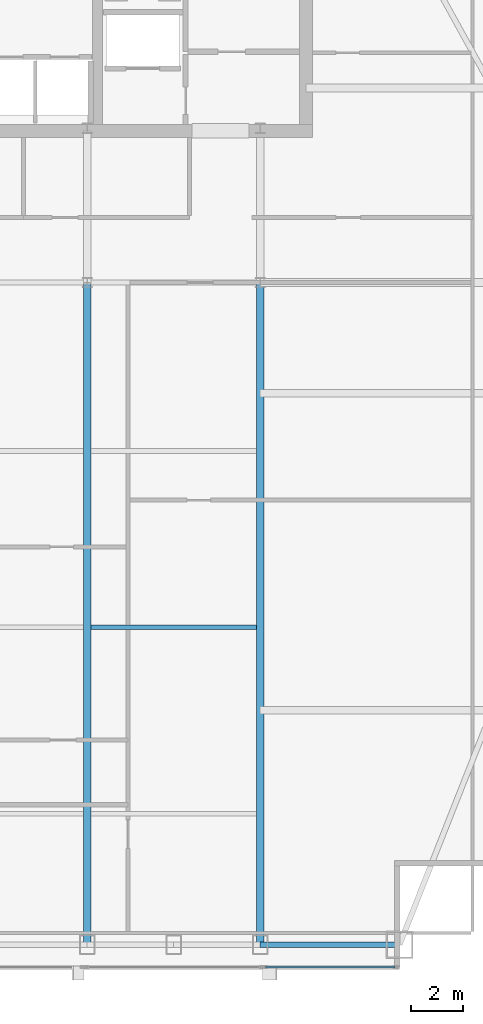
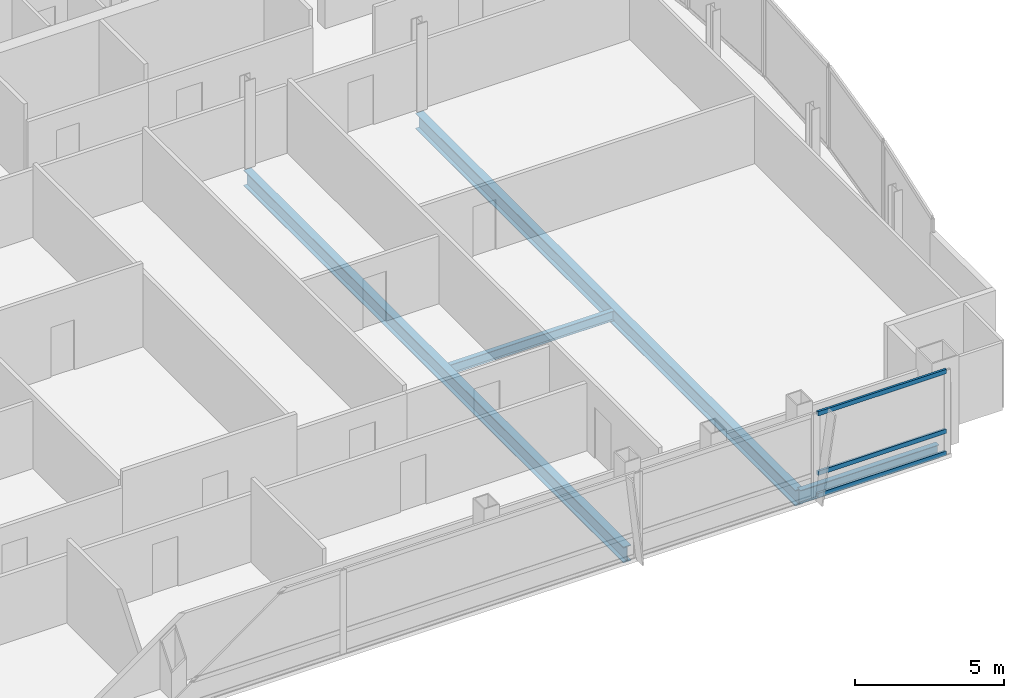
# One storey, part 15 of 30: 4 beams, 3 members, 1 element without a shape of its own.
"""IFC4 building model written with IfcOpenShell, lengths in metres."""

from ifc_helpers import new_model, si_unit, direction, frame, origin, origin_2d, place, context, subcontext, project, spatial, hollow_rectangle, i_section, extrude, material, material_profile, profile_set, type_object, element, aggregate, save


model = new_model("IFC4")

# Units and contexts
model_context = context("Model", 3, precision=1e-05, world=origin(), true_north=direction((0.0, 1.0)))
body_context = subcontext(model_context, "Body", "Model", "MODEL_VIEW")
ifc_project = project(units=[si_unit("LENGTHUNIT", "METRE"), si_unit("AREAUNIT", "SQUARE_METRE"), si_unit("VOLUMEUNIT", "CUBIC_METRE"), si_unit("PLANEANGLEUNIT", "RADIAN"), si_unit("MASSUNIT", "GRAM", prefix="KILO")], contexts=[model_context])

# Site, building, storey
site_placement = place(None, origin())
site = spatial("IfcSite", under=ifc_project, at=site_placement, CompositionType="ELEMENT")
building_placement = place(site_placement, origin())
building = spatial("IfcBuilding", under=site, at=building_placement, Name="Khoronbel Lancet Exchange", CompositionType="ELEMENT")
storey_placement = place(building_placement, frame((0.0, 0.0, 277.0)))
storey = spatial("IfcBuildingStorey", under=building, at=storey_placement, Name="L71", CompositionType="ELEMENT", Elevation=277.0)

# Beams
ifc_material_1 = material(Name="Steel S355", Category="steel")
ifc_material_profile_1 = material_profile(ifc_material_1, i_section(OverallWidth=0.300048828125, OverallDepth=0.64990234375, WebThickness=0.01611328125, FlangeThickness=0.031005859375, at=origin_2d()), Name="HEB 650")
ifc_profile_set_1 = profile_set([ifc_material_profile_1], Name="Steel S355")
beam_type_1 = type_object("IfcBeamType", Name="BM-BG4", PredefinedType="BEAM", material=ifc_profile_set_1)
for number, where, z_axis, x_axis, name in (
    (1, (48.0, 10.14990234375, -0.485107421875), (0.0, 1.0, 0.0), (-1.0, 0.0, 0.0), "Level L71 south primary girder GS5"),
    (2, (54.675048828125, 10.14990234375, -0.485107421875), (0.0, 1.0, 0.0), (-1.0, 0.0, 0.0), "Level L71 south primary girder GS6"),
):
    element("IfcBeam", number, at=place(storey_placement, frame(where, z_axis=z_axis, x_axis=x_axis)), inside=storey, type_object=beam_type_1, Name=name, PredefinedType="BEAM", context=body_context, shape_type="SweptSolid", body=[
        extrude(i_section(OverallWidth=0.300048828125, OverallDepth=0.64990234375, WebThickness=0.01611328125, FlangeThickness=0.031005859375, at=origin_2d()), origin(), (0.0, 0.0, 1.0), 25.550048828125),
    ])
ifc_material_profile_2 = material_profile(ifc_material_1, i_section(OverallWidth=0.179931640625, OverallDepth=0.39990234375, WebThickness=0.008544921875, FlangeThickness=0.013427734375, at=origin_2d()), Name="IPE 400")
ifc_profile_set_2 = profile_set([ifc_material_profile_2], Name="Steel S355")
beam_type_2 = type_object("IfcBeamType", Name="BM-BJ5", PredefinedType="JOIST", material=ifc_profile_set_2)
beam_1_placement = place(storey_placement, frame((48.14990234375, 22.39990234375, -0.360107421875), z_axis=(1.0, 0.0, 0.0), x_axis=(0.0, 1.0, 0.0)))
element("IfcBeam", 3, at=beam_1_placement, inside=storey, type_object=beam_type_2, Name="Level L71 secondary composite joist J10", PredefinedType="JOIST", context=body_context, shape_type="SweptSolid", body=[
    extrude(i_section(OverallWidth=0.179931640625, OverallDepth=0.39990234375, WebThickness=0.008544921875, FlangeThickness=0.013427734375, at=origin_2d()), origin(), (0.0, 0.0, 1.0), 6.375),
])
ifc_material_profile_3 = material_profile(ifc_material_1, i_section(OverallWidth=0.2099609375, OverallDepth=0.550048828125, WebThickness=0.010986328125, FlangeThickness=0.01708984375, at=origin_2d()), Name="IPE 550")
ifc_profile_set_3 = profile_set([ifc_material_profile_3], Name="Steel S355")
beam_type_3 = type_object("IfcBeamType", Name="BM-BSP3", PredefinedType="SPANDREL", material=ifc_profile_set_3)
beam_2_placement = place(storey_placement, frame((54.675048828125, 10.14990234375, -0.43505859375), z_axis=(1.0, 0.0, 0.0), x_axis=(0.0, 1.0, 0.0)))
element("IfcBeam", 4, at=beam_2_placement, inside=storey, type_object=beam_type_3, Name="Level L71 perimeter spandrel beam SP09", PredefinedType="SPANDREL", context=body_context, shape_type="SweptSolid", body=[
    extrude(i_section(OverallWidth=0.2099609375, OverallDepth=0.550048828125, WebThickness=0.010986328125, FlangeThickness=0.01708984375, at=origin_2d()), origin(), (0.0, 0.0, 1.0), 5.375),
])

# Curtain wall, members
ifc_material_2 = material(Name="Low-E Solar Control Insulating Glass", Category="glass")
curtain_wall_type = type_object("IfcCurtainWallType", Name="CW-3", PredefinedType="NOTDEFINED", material=ifc_material_2)
curtain_wall_placement = place(storey_placement, origin())
curtain_wall = element("IfcCurtainWall", 5, at=curtain_wall_placement, inside=storey, type_object=curtain_wall_type, Name="Unitised curtain wall CW-L71-SEV", PredefinedType="NOTDEFINED")
ifc_material_3 = material(Name="Bronze-Anodised Aluminium 6063-T6", Category="aluminium")
ifc_material_profile_4 = material_profile(ifc_material_3, hollow_rectangle(XDim=0.0849609375, YDim=0.179931640625, WallThickness=0.0048828125, at=origin_2d()), Name="ALU TRANSOM 85x180")
ifc_profile_set_4 = profile_set([ifc_material_profile_4], Name="Bronze-Anodised Aluminium 6063-T6")
member_type = type_object("IfcMemberType", Name="MEM-CWT1", PredefinedType="USERDEFINED", material=ifc_profile_set_4)
member_1_placement = place(storey_placement, frame((54.885009765625, 9.2900390625, 0.04248046875), z_axis=(1.0, 0.0, 0.0), x_axis=(0.0, 1.0, 0.0)))
member_1 = element("IfcMember", 6, at=member_1_placement, type_object=member_type, Name="CW3 transom 1.1", ObjectType="TRANSOM", PredefinedType="USERDEFINED", context=body_context, shape_type="SweptSolid", body=[
    extrude(hollow_rectangle(XDim=0.0849609375, YDim=0.179931640625, WallThickness=0.0048828125, at=origin_2d()), origin(), (0.0, 0.0, 1.0), 4.989990234375),
])
member_2_placement = place(storey_placement, frame((54.885009765625, 9.2900390625, 0.949951171875), z_axis=(1.0, 0.0, 0.0), x_axis=(0.0, 1.0, 0.0)))
member_2 = element("IfcMember", 7, at=member_2_placement, type_object=member_type, Name="CW3 transom 1.2", ObjectType="TRANSOM", PredefinedType="USERDEFINED", context=body_context, shape_type="SweptSolid", body=[
    extrude(hollow_rectangle(XDim=0.0849609375, YDim=0.179931640625, WallThickness=0.0048828125, at=origin_2d()), origin(), (0.0, 0.0, 1.0), 4.989990234375),
])
member_3_placement = place(storey_placement, frame((54.885009765625, 9.2900390625, 3.3974609375), z_axis=(1.0, 0.0, 0.0), x_axis=(0.0, 1.0, 0.0)))
member_3 = element("IfcMember", 8, at=member_3_placement, type_object=member_type, Name="CW3 transom 1.3", ObjectType="TRANSOM", PredefinedType="USERDEFINED", context=body_context, shape_type="SweptSolid", body=[
    extrude(hollow_rectangle(XDim=0.0849609375, YDim=0.179931640625, WallThickness=0.0048828125, at=origin_2d()), origin(), (0.0, 0.0, 1.0), 4.989990234375),
])
aggregate(curtain_wall, [member_1, member_2, member_3])

save(model, "model.ifc")
